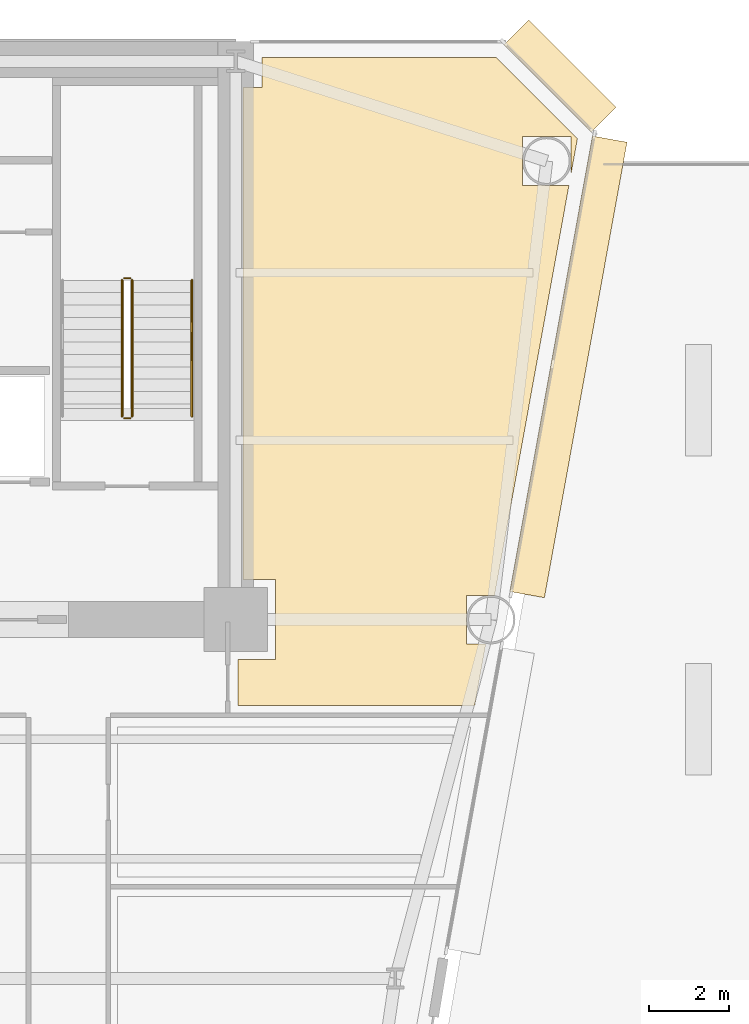
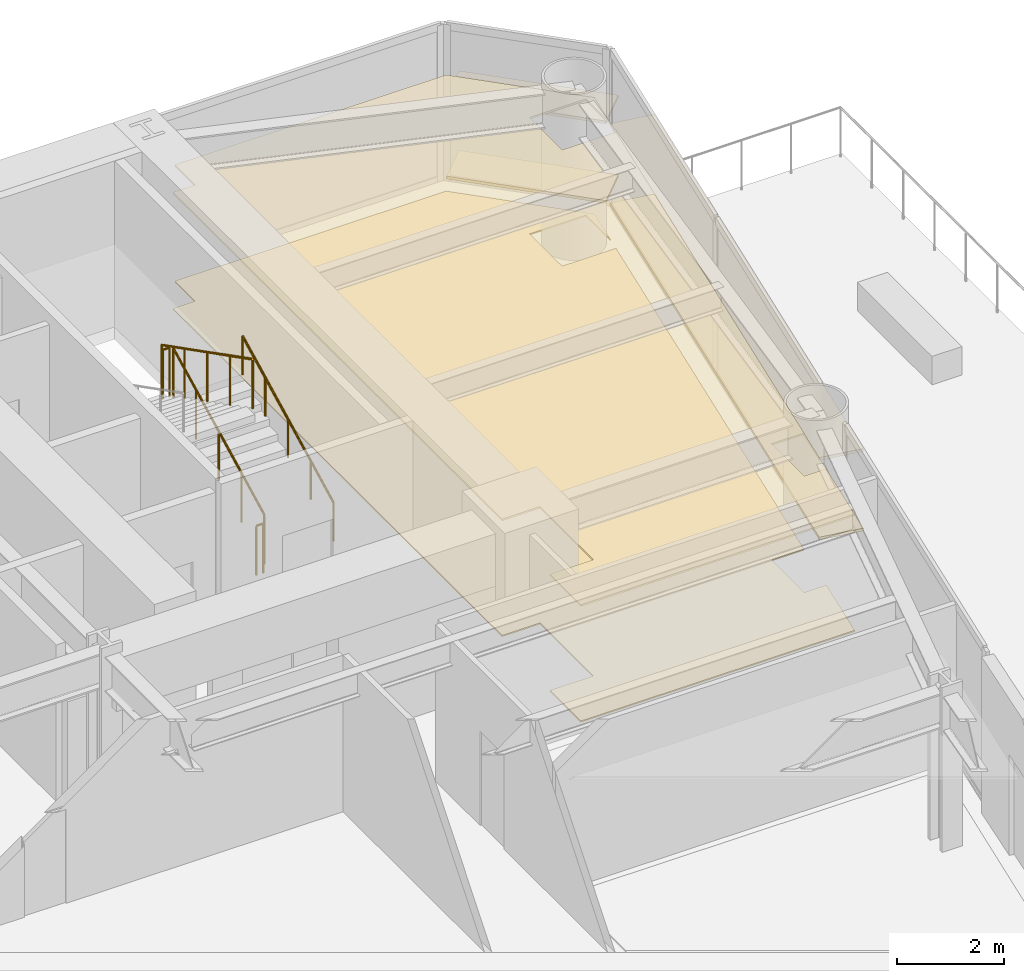
# One storey, part 14 of 14: 6 coverings, 5 railings.
"""IFC4 building model written with IfcOpenShell, lengths in metres."""

from ifc_helpers import new_model, si_unit, direction, frame, origin, origin_2d, place, context, subcontext, project, spatial, polyline, rectangle, circle, outline, extrude, source, transform, mapped, material, layer, layer_set, type_object, element, save


model = new_model("IFC4")

# Units and contexts
model_context = context("Model", 3, precision=1e-05, world=origin(), true_north=direction((0.0, 1.0)))
body_context = subcontext(model_context, "Body", "Model", "MODEL_VIEW")
ifc_project = project(units=[si_unit("LENGTHUNIT", "METRE"), si_unit("AREAUNIT", "SQUARE_METRE"), si_unit("VOLUMEUNIT", "CUBIC_METRE"), si_unit("PLANEANGLEUNIT", "RADIAN"), si_unit("MASSUNIT", "GRAM", prefix="KILO")], contexts=[model_context])

# Site, building, storey
site_placement = place(None, origin())
site = spatial("IfcSite", under=ifc_project, at=site_placement, CompositionType="ELEMENT")
building_placement = place(site_placement, origin())
building = spatial("IfcBuilding", under=site, at=building_placement, Name="Vaeldorn Concourse Tower", CompositionType="ELEMENT")
storey_placement = place(building_placement, frame((0.0, 0.0, 18.800048828125)))
storey = spatial("IfcBuildingStorey", under=building, at=storey_placement, Name="L04", CompositionType="ELEMENT", Elevation=18.800048828125)

# Coverings
ifc_material_1 = material(Name="Acoustic Mineral Fibre Board", Category="gypsum")
ifc_layer_1 = layer(ifc_material_1, 0.0400390625)
ifc_layer_set_1 = layer_set([ifc_layer_1], Name="Acoustic Mineral Fibre Board")
covering_type_1 = type_object("IfcCoveringType", Name="COV-CEIL-ACOUSTIC", PredefinedType="CEILING", material=ifc_layer_set_1)
covering_1_placement = place(storey_placement, frame((0.0, 0.0, 2.64990234375)))
element("IfcCovering", 1, at=covering_1_placement, inside=storey, type_object=covering_type_1, Name="Suspended Acoustic Ceiling L04-5", PredefinedType="CEILING", context=body_context, shape_type="SweptSolid", body=[
    extrude(outline(polyline([(54.179931640625, 49.840087890625), (54.659912109375, 49.840087890625), (54.659912109375, 50.60009765625), (60.5341796875, 50.60009765625), (62.569091796875, 48.565185546875), (62.409423828125, 47.685302734375), (62.409423828125, 48.609619140625), (61.1904296875, 48.609619140625), (61.1904296875, 47.390380859375), (62.35595703125, 47.390380859375), (60.491455078125, 37.109619140625), (59.79052734375, 37.109619140625), (59.79052734375, 35.890380859375), (60.2705078125, 35.890380859375), (59.9892578125, 34.340087890625), (54.06005859375, 34.340087890625), (54.06005859375, 35.5), (55.0, 35.5), (55.0, 37.5), (54.179931640625, 37.5), (54.179931640625, 49.840087890625)])), origin(), (0.0, 0.0, 1.0), 0.0400390625),
])
ifc_material_2 = material(Name="Honed Limestone Terrazzo Flooring", Category="masonry")
ifc_layer_2 = layer(ifc_material_2, 0.0400390625)
ifc_layer_set_2 = layer_set([ifc_layer_2], Name="Honed Limestone Terrazzo Flooring")
covering_type_2 = type_object("IfcCoveringType", Name="COV-FLOOR-STONE", PredefinedType="FLOORING", material=ifc_layer_set_2)
covering_2_placement = place(storey_placement, origin())
element("IfcCovering", 2, at=covering_2_placement, inside=storey, type_object=covering_type_2, Name="Floor Finish Covering L04-5", PredefinedType="FLOORING", context=body_context, shape_type="SweptSolid", body=[
    extrude(outline(polyline([(54.179931640625, 49.840087890625), (54.659912109375, 49.840087890625), (54.659912109375, 50.60009765625), (60.5341796875, 50.60009765625), (62.569091796875, 48.565185546875), (62.409423828125, 47.685302734375), (62.409423828125, 48.609619140625), (61.1904296875, 48.609619140625), (61.1904296875, 47.390380859375), (62.35595703125, 47.390380859375), (60.491455078125, 37.109619140625), (59.79052734375, 37.109619140625), (59.79052734375, 35.890380859375), (60.2705078125, 35.890380859375), (59.9892578125, 34.340087890625), (54.06005859375, 34.340087890625), (54.06005859375, 35.5), (55.0, 35.5), (55.0, 37.5), (54.179931640625, 37.5), (54.179931640625, 49.840087890625)])), origin(), (0.0, 0.0, 1.0), 0.030029296875),
])

# Railings
ifc_material_3 = material(Name="Anodised Bronze Aluminium", Category="aluminium")
railing_type_1 = type_object("IfcRailingType", Name="RL-STAIR-GUARD", PredefinedType="GUARDRAIL", material=ifc_material_3)
railing_1_placement = place(storey_placement, frame((51.39990234375, 41.60009765625, 0.158203125)))
element("IfcRailing", 3, at=railing_1_placement, inside=storey, type_object=railing_type_1, Name="L04 ST-2 stair guard 1", PredefinedType="GUARDRAIL", context=body_context, shape_type="SweptSolid", body=[
    extrude(circle(Radius=0.02392578125, at=origin_2d()), frame((0.0, 0.0, 1.1259765625), z_axis=(0.0, 0.890555807335, 0.454873997962), x_axis=(-1.0, 0.0, 0.0)), (0.0, 0.0, 1.0), 3.828857421875),
    extrude(circle(Radius=0.02099609375, at=origin_2d()), origin(), (0.0, 0.0, 1.0), 1.101806640625),
    extrude(circle(Radius=0.02099609375, at=origin_2d()), frame((0.0, 0.8525390625, 0.435546875)), (0.0, 0.0, 1.0), 1.101806640625),
    extrude(circle(Radius=0.02099609375, at=origin_2d()), frame((0.0, 1.705078125, 0.870849609375)), (0.0, 0.0, 1.0), 1.101806640625),
    extrude(circle(Radius=0.02099609375, at=origin_2d()), frame((0.0, 2.557373046875, 1.30615234375)), (0.0, 0.0, 1.0), 1.101806640625),
    extrude(circle(Radius=0.02099609375, at=origin_2d()), frame((0.0, 3.409912109375, 1.74169921875)), (0.0, 0.0, 1.0), 1.101806640625),
])
railing_2_placement = place(storey_placement, frame((51.35009765625, 45.06005859375, 1.89990234375)))
element("IfcRailing", 4, at=railing_2_placement, inside=storey, type_object=railing_type_1, Name="L04 ST-2 stair guard 2", PredefinedType="GUARDRAIL", context=body_context, shape_type="SweptSolid", body=[
    extrude(circle(Radius=0.02392578125, at=origin_2d()), frame((0.0, 0.0, 1.1259765625), z_axis=(-1.0, 0.0, 0.0), x_axis=(0.0, -1.0, 0.0)), (0.0, 0.0, 1.0), 0.150146484375),
    extrude(circle(Radius=0.02099609375, at=origin_2d()), origin(), (0.0, 0.0, 1.0), 1.101806640625),
    extrude(circle(Radius=0.02099609375, at=origin_2d()), frame((-0.150146484375, 0.0, 0.0)), (0.0, 0.0, 1.0), 1.101806640625),
])
railing_3_placement = place(storey_placement, frame((51.14990234375, 45.010009765625, 2.058349609375)))
element("IfcRailing", 5, at=railing_3_placement, inside=storey, type_object=railing_type_1, Name="L04 ST-2 stair guard 3", PredefinedType="GUARDRAIL", context=body_context, shape_type="SweptSolid", body=[
    extrude(circle(Radius=0.02392578125, at=origin_2d()), frame((0.0, 0.0, 1.1259765625), z_axis=(0.0, -0.890555807335, 0.454873997962), x_axis=(1.0, 0.0, 0.0)), (0.0, 0.0, 1.0), 3.828857421875),
    extrude(circle(Radius=0.02099609375, at=origin_2d()), origin(), (0.0, 0.0, 1.0), 1.101806640625),
    extrude(circle(Radius=0.02099609375, at=origin_2d()), frame((0.0, -0.8525390625, 0.435546875)), (0.0, 0.0, 1.0), 1.101806640625),
    extrude(circle(Radius=0.02099609375, at=origin_2d()), frame((0.0, -1.705078125, 0.870849609375)), (0.0, 0.0, 1.0), 1.101806640625),
    extrude(circle(Radius=0.02099609375, at=origin_2d()), frame((0.0, -2.557373046875, 1.30615234375)), (0.0, 0.0, 1.0), 1.101806640625),
    extrude(circle(Radius=0.02099609375, at=origin_2d()), frame((0.0, -3.409912109375, 1.74169921875)), (0.0, 0.0, 1.0), 1.101806640625),
])
railing_4_placement = place(storey_placement, frame((51.35009765625, 41.550048828125, 0.0)))
element("IfcRailing", 6, at=railing_4_placement, inside=storey, type_object=railing_type_1, Name="L04 ST-2 stair guard 4", PredefinedType="GUARDRAIL", context=body_context, shape_type="SweptSolid", body=[
    extrude(circle(Radius=0.02392578125, at=origin_2d()), frame((0.0, 0.0, 1.1259765625), z_axis=(-1.0, 0.0, 0.0), x_axis=(0.0, -1.0, 0.0)), (0.0, 0.0, 1.0), 0.150146484375),
    extrude(circle(Radius=0.02099609375, at=origin_2d()), origin(), (0.0, 0.0, 1.0), 1.101806640625),
    extrude(circle(Radius=0.02099609375, at=origin_2d()), frame((-0.150146484375, 0.0, 0.0)), (0.0, 0.0, 1.0), 1.101806640625),
])
railing_type_2 = type_object("IfcRailingType", Name="RL-STAIR-HANDRAIL", PredefinedType="HANDRAIL", material=ifc_material_3)
railing_5_placement = place(storey_placement, frame((52.89990234375, 41.60009765625, 0.158203125)))
element("IfcRailing", 7, at=railing_5_placement, inside=storey, type_object=railing_type_2, Name="L04 ST-2 stair handrail 1", PredefinedType="HANDRAIL", context=body_context, shape_type="SweptSolid", body=[
    extrude(circle(Radius=0.02392578125, at=origin_2d()), frame((0.0, 0.0, 0.8759765625), z_axis=(0.0, 0.890555807335, 0.454873997962), x_axis=(-1.0, 0.0, 0.0)), (0.0, 0.0, 1.0), 3.828857421875),
    extrude(circle(Radius=0.02099609375, at=origin_2d()), origin(), (0.0, 0.0, 1.0), 0.851806640625),
    extrude(circle(Radius=0.02099609375, at=origin_2d()), frame((0.0, 0.8525390625, 0.435546875)), (0.0, 0.0, 1.0), 0.851806640625),
    extrude(circle(Radius=0.02099609375, at=origin_2d()), frame((0.0, 1.705078125, 0.870849609375)), (0.0, 0.0, 1.0), 0.851806640625),
    extrude(circle(Radius=0.02099609375, at=origin_2d()), frame((0.0, 2.557373046875, 1.30615234375)), (0.0, 0.0, 1.0), 0.851806640625),
    extrude(circle(Radius=0.02099609375, at=origin_2d()), frame((0.0, 3.409912109375, 1.74169921875)), (0.0, 0.0, 1.0), 0.851806640625),
])

# Coverings
ifc_layer_3 = layer(ifc_material_3, 0.06494140625)
ifc_layer_set_3 = layer_set([ifc_layer_3], Name="Anodised Bronze Aluminium")
covering_type_3 = type_object("IfcCoveringType", Name="SD-BRONZE-SUNSHADE", PredefinedType="USERDEFINED", material=ifc_layer_set_3)
shared_shape_1 = source(origin(), body_context, "Body", "SweptSolid", [
    extrude(rectangle(XDim=3.0927734375, YDim=0.8798828125, at=origin_2d()), origin(), (0.0, 0.0, 1.0), 0.06494140625),
])
for number, where, z_axis, x_axis, name in (
    (8, (62.1328125, 50.1328125, 0.04736328125), (0.0, 0.0, 1.0), (-0.707106781187, 0.707106781187, 0.0), "Horizontal Bronze Sunshade L04-E08.1.1"),
    (9, (62.1328125, 50.1328125, 1.867431640625), (0.0, 0.0, 1.0), (-0.707106781187, 0.707106781187, 0.0), "Horizontal Bronze Sunshade L04-E08.1.2"),
):
    element("IfcCovering", number, at=place(storey_placement, frame(where, z_axis=z_axis, x_axis=x_axis)), inside=storey, type_object=covering_type_3, Name=name, ObjectType="SUNSHADE", PredefinedType="USERDEFINED", context=body_context, shape_type="MappedRepresentation", body=[
        mapped(shared_shape_1, transform((0.0, 0.0, 0.0), scale=1.0)),
    ])
shared_shape_2 = source(origin(), body_context, "Body", "SweptSolid", [
    extrude(rectangle(XDim=11.609375, YDim=0.8798828125, at=origin_2d()), origin(), (0.0, 0.0, 1.0), 0.06494140625),
])
for number, where, z_axis, x_axis, name in (
    (10, (62.343505859375, 42.83837890625, 0.04736328125), (0.0, 0.0, 1.0), (0.178441590414, 0.983950506281, 0.0), "Horizontal Bronze Sunshade L04-E07.3.1"),
    (11, (62.343505859375, 42.83837890625, 1.867431640625), (0.0, 0.0, 1.0), (0.178441590414, 0.983950506281, 0.0), "Horizontal Bronze Sunshade L04-E07.3.2"),
):
    element("IfcCovering", number, at=place(storey_placement, frame(where, z_axis=z_axis, x_axis=x_axis)), inside=storey, type_object=covering_type_3, Name=name, ObjectType="SUNSHADE", PredefinedType="USERDEFINED", context=body_context, shape_type="MappedRepresentation", body=[
        mapped(shared_shape_2, transform((0.0, 0.0, 0.0), scale=1.0)),
    ])

save(model, "model.ifc")
